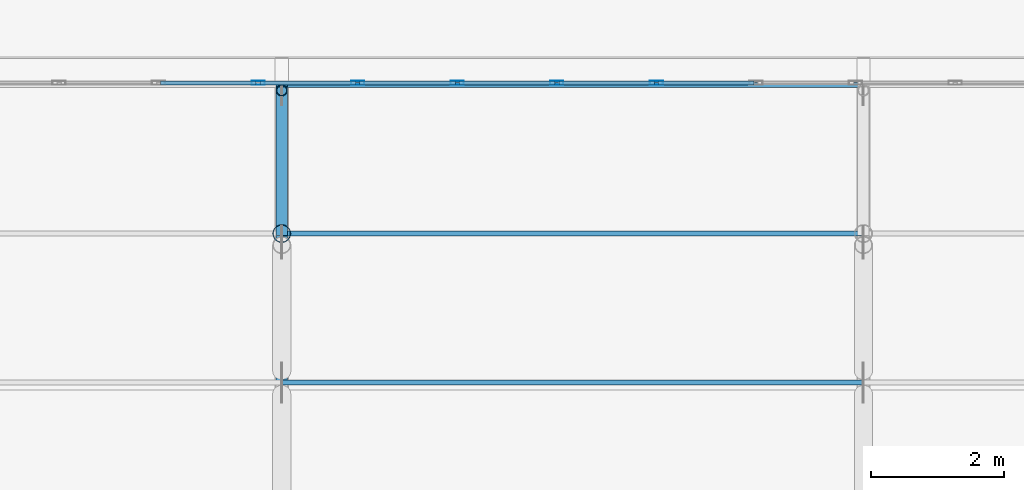
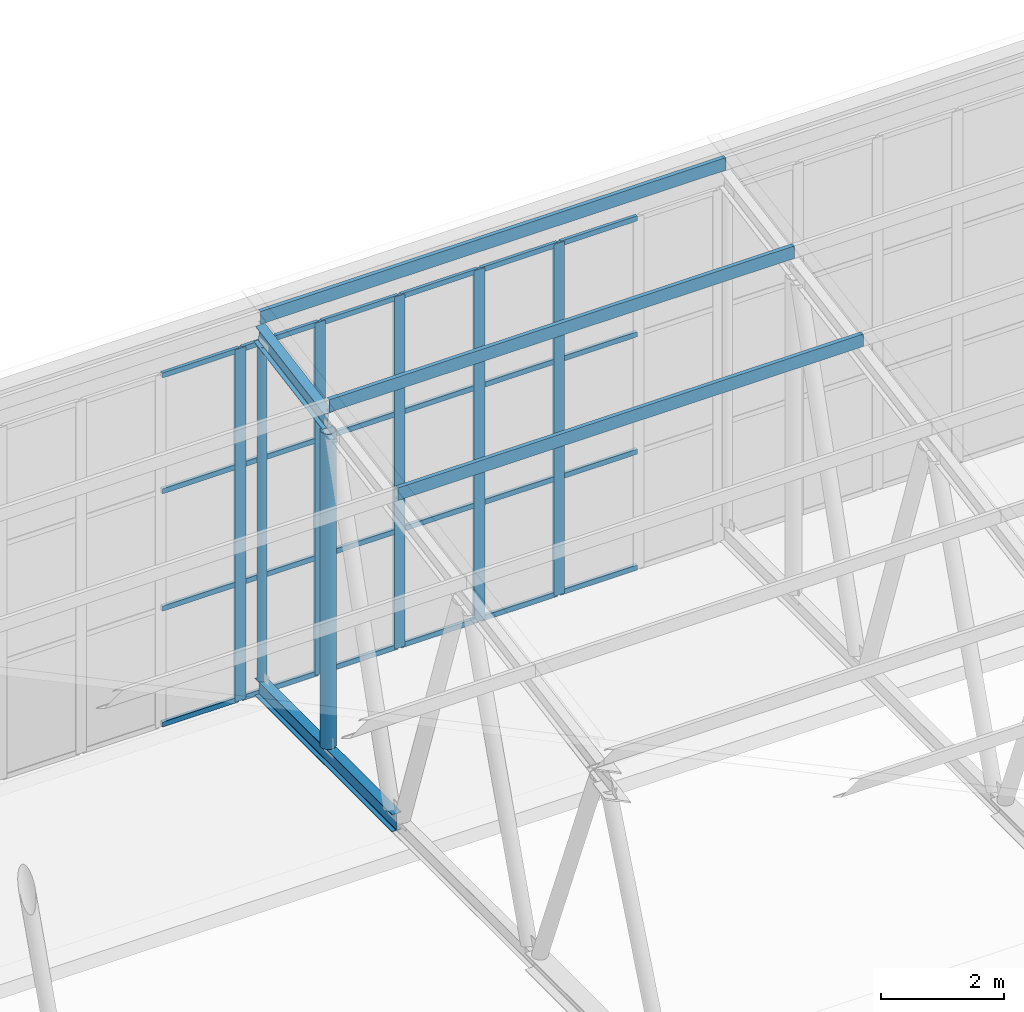
# One storey, part 55 of 185: 36 members, 1 element without a shape of its own.
"""IFC4 building model written with IfcOpenShell, lengths in metres."""

import ifcopenshell
import ifcopenshell.guid

model = None  # the IFC model being written
_history = None  # IfcOwnerHistory: only IFC2X3 demands one
_inside = {}  # id of a spatial element -> (the spatial element, [elements in it])
_under = {}  # id of a project, library or spatial element -> (it, [spatial elements below it])
_declared = {}  # id of a project -> (the project, [libraries it declares])
_typed = {}  # id of a type object -> (the type object, [elements of that type])
_made_of = {}  # id of a material, layer set ... -> (it, [elements and type objects made of it])


def new_model(schema):
    """Start an empty IFC model of exactly this schema.

    Asked for "IFC4X3", IfcOpenShell would pick the latest addendum, in which some entities
    have other attributes; the version numbers below select the first issue.
    IFC2X3 requires an IfcOwnerHistory on every rooted entity: one is made here for all.
    """
    global model, _history
    if schema == "IFC4X3":
        model = ifcopenshell.file(schema_version=(4, 3, 0, 0))
    else:
        model = ifcopenshell.file(schema=schema)
    _inside.clear()
    _under.clear()
    _declared.clear()
    _typed.clear()
    _made_of.clear()
    _history = None
    if model.schema == "IFC2X3":
        org = make("IfcOrganization", Name="unknown")
        user = make(
            "IfcPersonAndOrganization",
            ThePerson=make("IfcPerson", FamilyName="unknown"),
            TheOrganization=org,
        )
        app = make(
            "IfcApplication",
            ApplicationDeveloper=org,
            Version="unknown",
            ApplicationFullName="unknown",
            ApplicationIdentifier="unknown",
        )
        _history = make(
            "IfcOwnerHistory",
            OwningUser=user,
            OwningApplication=app,
            ChangeAction="ADDED",
            CreationDate=0,
        )
    return model


def make(cls, **values):
    """One entity of the class cls with the attributes given. An attribute that is None is left unset."""
    return model.create_entity(
        cls, **{name: value for name, value in values.items() if value is not None}
    )


def rooted(cls, **values):
    """An entity with a GlobalId (a new one), such as an element, a storey or a relation."""
    return make(cls, GlobalId=ifcopenshell.guid.new(), OwnerHistory=_history, **values)


def si_unit(unit_type, name, prefix=None):
    """IfcSIUnit, for example si_unit("LENGTHUNIT", "METRE", prefix="MILLI")."""
    return make("IfcSIUnit", UnitType=unit_type, Prefix=prefix, Name=name)


def assignment(units):
    """IfcUnitAssignment: the units of a project."""
    return None if units is None else make("IfcUnitAssignment", Units=units)


def point(xyz):
    """IfcCartesianPoint."""
    return None if xyz is None else make("IfcCartesianPoint", Coordinates=xyz)


def direction(xyz):
    """IfcDirection."""
    return None if xyz is None else make("IfcDirection", DirectionRatios=xyz)


def frame(location, z_axis=None, x_axis=None):
    """IfcAxis2Placement3D, a coordinate frame: its origin and axes. An axis left out is left unset."""
    return make(
        "IfcAxis2Placement3D",
        Location=point(location),
        Axis=direction(z_axis),
        RefDirection=direction(x_axis),
    )


def frame_2d(location, x_axis=None):
    """IfcAxis2Placement2D, a coordinate frame in the plane: its origin and x axis."""
    return make(
        "IfcAxis2Placement2D", Location=point(location), RefDirection=direction(x_axis)
    )


def origin():
    """The frame at (0, 0, 0) with its axes left unset."""
    return frame((0.0, 0.0, 0.0))


def origin_2d():
    """The frame at (0, 0) in the plane with its x axis left unset."""
    return frame_2d((0.0, 0.0))


def place(relative_to, where):
    """IfcLocalPlacement: puts the frame where relative to a parent placement (None: the world)."""
    return make(
        "IfcLocalPlacement", PlacementRelTo=relative_to, RelativePlacement=where
    )


def context(
    kind, dimensions, precision=None, world=None, true_north=None, identifier=None
):
    """IfcGeometricRepresentationContext, for example the 3D "Model" context."""
    return make(
        "IfcGeometricRepresentationContext",
        ContextIdentifier=identifier,
        ContextType=kind,
        CoordinateSpaceDimension=dimensions,
        Precision=precision,
        WorldCoordinateSystem=world,
        TrueNorth=true_north,
    )


def subcontext(parent, identifier, kind, view, scale=None):
    """IfcGeometricRepresentationSubContext, for example "Body" below "Model"."""
    return make(
        "IfcGeometricRepresentationSubContext",
        ContextIdentifier=identifier,
        ContextType=kind,
        ParentContext=parent,
        TargetScale=scale,
        TargetView=view,
    )


def project(units=None, contexts=None):
    """IfcProject with its units and contexts."""
    return rooted(
        "IfcProject",
        Name="project",
        RepresentationContexts=contexts,
        UnitsInContext=assignment(units),
    )


def spatial(cls, under=None, at=None, **own):
    """A site, building, storey or space (cls), placed at a placement, below another one or the project."""
    s = rooted(cls, ObjectPlacement=at, **own)
    if under is not None:
        _under.setdefault(under.id(), (under, []))[1].append(s)
    return s


def polyline(points):
    """IfcPolyline through the points."""
    return make("IfcPolyline", Points=[point(p) for p in points])


def profile(cls, at=None, kind="AREA", **sizes):
    """A parametric profile (cls). Its sizes go by their IFC names, for example OverallWidth=200.0."""
    return make(cls, ProfileType=kind, Position=at, **sizes)


def hollow_rectangle(**sizes):
    """IfcRectangleHollowProfileDef."""
    return profile("IfcRectangleHollowProfileDef", **sizes)


def hollow_circle(**sizes):
    """IfcCircleHollowProfileDef."""
    return profile("IfcCircleHollowProfileDef", **sizes)


def i_section(**sizes):
    """IfcIShapeProfileDef."""
    return profile("IfcIShapeProfileDef", **sizes)


def outline(outer, holes=None, kind="AREA"):
    """IfcArbitraryClosedProfileDef: a profile drawn as a closed curve; with holes, ...WithVoids."""
    if holes is None:
        return make("IfcArbitraryClosedProfileDef", ProfileType=kind, OuterCurve=outer)
    return make(
        "IfcArbitraryProfileDefWithVoids",
        ProfileType=kind,
        OuterCurve=outer,
        InnerCurves=holes,
    )


def extrude(swept, where, along, depth):
    """IfcExtrudedAreaSolid: the profile swept, set in the frame where, extruded along a direction by depth."""
    return make(
        "IfcExtrudedAreaSolid",
        SweptArea=swept,
        Position=where,
        ExtrudedDirection=direction(along),
        Depth=depth,
    )


def shape(context_of_items, identifier, shape_type, items):
    """IfcShapeRepresentation: the items that make up one representation, for example the "Body"."""
    return make(
        "IfcShapeRepresentation",
        ContextOfItems=context_of_items,
        RepresentationIdentifier=identifier,
        RepresentationType=shape_type,
        Items=items,
    )


def material(Name=None, Category=None):
    """IfcMaterial."""
    return make("IfcMaterial", Name=Name, Category=Category)


def layer(
    of_material, thickness, ventilated=None, Name=None, Category=None, Priority=None
):
    """IfcMaterialLayer: one layer of a wall or slab, of a material (None: an air gap)."""
    return make(
        "IfcMaterialLayer",
        Material=of_material,
        LayerThickness=thickness,
        IsVentilated=ventilated,
        Name=Name,
        Category=Category,
        Priority=Priority,
    )


def layer_set(layers, Name=None):
    """IfcMaterialLayerSet."""
    return make("IfcMaterialLayerSet", MaterialLayers=layers, LayerSetName=Name)


def material_profile(
    of_material, cross_section, Name=None, Category=None, Priority=None
):
    """IfcMaterialProfile: a cross section and its material."""
    return make(
        "IfcMaterialProfile",
        Name=Name,
        Material=of_material,
        Profile=cross_section,
        Priority=Priority,
        Category=Category,
    )


def profile_set(profiles, Name=None, composite=None):
    """IfcMaterialProfileSet."""
    return make(
        "IfcMaterialProfileSet",
        Name=Name,
        MaterialProfiles=profiles,
        CompositeProfile=composite,
    )


def made_of(thing, what):
    """Note that an element or type object is made of a material, layer set ...; save() writes the relation."""
    if what is not None:
        _made_of.setdefault(what.id(), (what, []))[1].append(thing)
    return thing


def type_object(cls, material=None, **own):
    """A type object (cls), such as IfcWallType, which elements share."""
    return made_of(rooted(cls, **own), material)


def element(
    cls,
    number,
    at=None,
    inside=None,
    cuts=None,
    type_object=None,
    material=None,
    context=None,
    identifier="Body",
    shape_type=None,
    held_by="IfcProductDefinitionShape",
    body=None,
    shapes=None,
    **own,
):
    """One element of the class cls, such as IfcWall. Its Tag is "e" and its number.

    at: its placement. inside: the storey or other place that contains it. cuts: it is an
    opening in that element (IfcRelVoidsElement). A single representation is given by context,
    identifier, shape_type and body (its items); several are given by shapes. held_by: the class
    of the entity that holds the representations. save() writes the other relations.
    """
    e = rooted(cls, Tag="e%d" % number, ObjectPlacement=at, **own)
    if body is not None:
        shapes = [shape(context, identifier, shape_type, body)]
    if shapes is not None:
        e.Representation = make(held_by, Representations=shapes)
    if inside is not None:
        _inside.setdefault(inside.id(), (inside, []))[1].append(e)
    if cuts is not None:
        rooted(
            "IfcRelVoidsElement", RelatingBuildingElement=cuts, RelatedOpeningElement=e
        )
    if type_object is not None:
        _typed.setdefault(type_object.id(), (type_object, []))[1].append(e)
    return made_of(e, material)


def aggregate(whole, parts):
    """IfcRelAggregates: a whole, such as a stair, and the parts it consists of."""
    return rooted("IfcRelAggregates", RelatingObject=whole, RelatedObjects=parts)


def save(model, path):
    """Write the relations noted so far, then the file.

    IfcRelAggregates (storeys below a building ...), IfcRelContainedInSpatialStructure (elements
    in a storey), IfcRelDefinesByType, IfcRelAssociatesMaterial and IfcRelDeclares: one each for
    every whole, place, type object, material and project.
    """
    for whole, parts in _under.values():
        aggregate(whole, parts)
    for where, things in _inside.values():
        rooted(
            "IfcRelContainedInSpatialStructure",
            RelatedElements=things,
            RelatingStructure=where,
        )
    for kind, things in _typed.values():
        rooted("IfcRelDefinesByType", RelatedObjects=things, RelatingType=kind)
    for what, things in _made_of.values():
        rooted("IfcRelAssociatesMaterial", RelatedObjects=things, RelatingMaterial=what)
    for by, libraries in _declared.values():
        rooted("IfcRelDeclares", RelatingContext=by, RelatedDefinitions=libraries)
    model.write(path)


model = new_model("IFC4")

# Units and contexts
model_context = context("Model", 3, precision=1e-05, world=origin(), true_north=direction((0.0, 1.0)))
body_context = subcontext(model_context, "Body", "Model", "MODEL_VIEW")
ifc_project = project(units=[si_unit("LENGTHUNIT", "METRE"), si_unit("AREAUNIT", "SQUARE_METRE"), si_unit("VOLUMEUNIT", "CUBIC_METRE"), si_unit("PLANEANGLEUNIT", "RADIAN"), si_unit("MASSUNIT", "GRAM", prefix="KILO")], contexts=[model_context])

# Site, building, storey
site_placement = place(None, origin())
site = spatial("IfcSite", under=ifc_project, at=site_placement, CompositionType="ELEMENT")
building_placement = place(site_placement, origin())
building = spatial("IfcBuilding", under=site, at=building_placement, Name="Opaline Strait Convention Centre", CompositionType="ELEMENT")
storey_placement = place(building_placement, frame((0.0, 0.0, 6.0)))
storey = spatial("IfcBuildingStorey", under=building, at=storey_placement, Name="L01", CompositionType="ELEMENT", Elevation=6.0)

# Curtain wall, members
ifc_material_1 = material(Name="Aluminium 6063-T5", Category="aluminium")
ifc_layer = layer(ifc_material_1, 0.199951171875)
ifc_layer_set = layer_set([ifc_layer], Name="Aluminium 6063-T5")
curtain_wall_type = type_object("IfcCurtainWallType", Name="Unitised curtain wall 1640 module", PredefinedType="NOTDEFINED", material=ifc_layer_set)
curtain_wall_placement = place(storey_placement, origin())
curtain_wall = element("IfcCurtainWall", 1, at=curtain_wall_placement, inside=storey, type_object=curtain_wall_type, Name="Ballroom north clerestory curtain wall", PredefinedType="NOTDEFINED")
ifc_material_2 = material(Name="Aluminium alloy 6063", Category="aluminium")
ifc_material_profile_1 = material_profile(ifc_material_2, hollow_rectangle(XDim=0.06005859375, YDim=0.199951171875, WallThickness=0.00390625, at=origin_2d()), Name="MULLION 60x200x4")
ifc_profile_set_1 = profile_set([ifc_material_profile_1], Name="Aluminium alloy 6063")
member_type_1 = type_object("IfcMemberType", Name="Curtain wall mullion 60 x 200", PredefinedType="MULLION", material=ifc_profile_set_1)
member_1_placement = place(storey_placement, frame((305.987060546875, 62.929931640625, 4.324951171875), z_axis=(0.0, 0.0, 1.0), x_axis=(0.0, 1.0, 0.0)))
member_1 = element("IfcMember", 2, at=member_1_placement, type_object=member_type_1, Name="BG2 mullion 13", PredefinedType="MULLION", context=body_context, shape_type="SweptSolid", body=[
    extrude(hollow_rectangle(XDim=0.06005859375, YDim=0.199951171875, WallThickness=0.00390625, at=origin_2d()), origin(), (0.0, 0.0, 1.0), 7.01513671875),
])
member_2_placement = place(storey_placement, frame((307.488525390625, 62.929931640625, 4.324951171875), z_axis=(0.0, 0.0, 1.0), x_axis=(0.0, 1.0, 0.0)))
member_2 = element("IfcMember", 3, at=member_2_placement, type_object=member_type_1, Name="BG2 mullion 14", PredefinedType="MULLION", context=body_context, shape_type="SweptSolid", body=[
    extrude(hollow_rectangle(XDim=0.06005859375, YDim=0.199951171875, WallThickness=0.00390625, at=origin_2d()), origin(), (0.0, 0.0, 1.0), 7.01513671875),
])
member_3_placement = place(storey_placement, frame((308.989990234375, 62.929931640625, 4.324951171875), z_axis=(0.0, 0.0, 1.0), x_axis=(0.0, 1.0, 0.0)))
member_3 = element("IfcMember", 4, at=member_3_placement, type_object=member_type_1, Name="BG2 mullion 15", PredefinedType="MULLION", context=body_context, shape_type="SweptSolid", body=[
    extrude(hollow_rectangle(XDim=0.06005859375, YDim=0.199951171875, WallThickness=0.00390625, at=origin_2d()), origin(), (0.0, 0.0, 1.0), 7.01513671875),
])
member_4_placement = place(storey_placement, frame((310.491455078125, 62.929931640625, 4.324951171875), z_axis=(0.0, 0.0, 1.0), x_axis=(0.0, 1.0, 0.0)))
member_4 = element("IfcMember", 5, at=member_4_placement, type_object=member_type_1, Name="BG2 mullion 16", PredefinedType="MULLION", context=body_context, shape_type="SweptSolid", body=[
    extrude(hollow_rectangle(XDim=0.06005859375, YDim=0.199951171875, WallThickness=0.00390625, at=origin_2d()), origin(), (0.0, 0.0, 1.0), 7.01513671875),
])
member_5_placement = place(storey_placement, frame((311.992919921875, 62.929931640625, 4.324951171875), z_axis=(0.0, 0.0, 1.0), x_axis=(0.0, 1.0, 0.0)))
member_5 = element("IfcMember", 6, at=member_5_placement, type_object=member_type_1, Name="BG2 mullion 17", PredefinedType="MULLION", context=body_context, shape_type="SweptSolid", body=[
    extrude(hollow_rectangle(XDim=0.06005859375, YDim=0.199951171875, WallThickness=0.00390625, at=origin_2d()), origin(), (0.0, 0.0, 1.0), 7.01513671875),
])
ifc_material_profile_2 = material_profile(ifc_material_2, hollow_rectangle(XDim=0.06005859375, YDim=0.10009765625, WallThickness=0.0029296875, at=origin_2d()), Name="TRANSOM 60x100x3")
ifc_profile_set_2 = profile_set([ifc_material_profile_2], Name="Aluminium alloy 6063")
member_type_2 = type_object("IfcMemberType", Name="Curtain wall transom 60 x 100", PredefinedType="USERDEFINED", material=ifc_profile_set_2)
member_6_placement = place(storey_placement, frame((304.515625, 62.929931640625, 4.35498046875), z_axis=(1.0, 0.0, 0.0), x_axis=(0.0, 1.0, 0.0)))
member_6 = element("IfcMember", 7, at=member_6_placement, type_object=member_type_2, Name="BG2 transom 12.1", ObjectType="TRANSOM", PredefinedType="USERDEFINED", context=body_context, shape_type="SweptSolid", body=[
    extrude(hollow_rectangle(XDim=0.06005859375, YDim=0.10009765625, WallThickness=0.0029296875, at=origin_2d()), origin(), (0.0, 0.0, 1.0), 1.44140625),
])
member_7_placement = place(storey_placement, frame((304.515625, 62.929931640625, 6.663330078125), z_axis=(1.0, 0.0, 0.0), x_axis=(0.0, 1.0, 0.0)))
member_7 = element("IfcMember", 8, at=member_7_placement, type_object=member_type_2, Name="BG2 transom 12.2", ObjectType="TRANSOM", PredefinedType="USERDEFINED", context=body_context, shape_type="SweptSolid", body=[
    extrude(hollow_rectangle(XDim=0.06005859375, YDim=0.10009765625, WallThickness=0.0029296875, at=origin_2d()), origin(), (0.0, 0.0, 1.0), 1.44140625),
])
member_8_placement = place(storey_placement, frame((304.515625, 62.929931640625, 9.001708984375), z_axis=(1.0, 0.0, 0.0), x_axis=(0.0, 1.0, 0.0)))
member_8 = element("IfcMember", 9, at=member_8_placement, type_object=member_type_2, Name="BG2 transom 12.3", ObjectType="TRANSOM", PredefinedType="USERDEFINED", context=body_context, shape_type="SweptSolid", body=[
    extrude(hollow_rectangle(XDim=0.06005859375, YDim=0.10009765625, WallThickness=0.0029296875, at=origin_2d()), origin(), (0.0, 0.0, 1.0), 1.44140625),
])
member_9_placement = place(storey_placement, frame((304.515625, 62.929931640625, 11.31005859375), z_axis=(1.0, 0.0, 0.0), x_axis=(0.0, 1.0, 0.0)))
member_9 = element("IfcMember", 10, at=member_9_placement, type_object=member_type_2, Name="BG2 transom 12.4", ObjectType="TRANSOM", PredefinedType="USERDEFINED", context=body_context, shape_type="SweptSolid", body=[
    extrude(hollow_rectangle(XDim=0.06005859375, YDim=0.10009765625, WallThickness=0.0029296875, at=origin_2d()), origin(), (0.0, 0.0, 1.0), 1.44140625),
])
member_10_placement = place(storey_placement, frame((306.01708984375, 62.929931640625, 4.35498046875), z_axis=(1.0, 0.0, 0.0), x_axis=(0.0, 1.0, 0.0)))
member_10 = element("IfcMember", 11, at=member_10_placement, type_object=member_type_2, Name="BG2 transom 13.1", ObjectType="TRANSOM", PredefinedType="USERDEFINED", context=body_context, shape_type="SweptSolid", body=[
    extrude(hollow_rectangle(XDim=0.06005859375, YDim=0.10009765625, WallThickness=0.0029296875, at=origin_2d()), origin(), (0.0, 0.0, 1.0), 1.44140625),
])
member_11_placement = place(storey_placement, frame((306.01708984375, 62.929931640625, 6.663330078125), z_axis=(1.0, 0.0, 0.0), x_axis=(0.0, 1.0, 0.0)))
member_11 = element("IfcMember", 12, at=member_11_placement, type_object=member_type_2, Name="BG2 transom 13.2", ObjectType="TRANSOM", PredefinedType="USERDEFINED", context=body_context, shape_type="SweptSolid", body=[
    extrude(hollow_rectangle(XDim=0.06005859375, YDim=0.10009765625, WallThickness=0.0029296875, at=origin_2d()), origin(), (0.0, 0.0, 1.0), 1.44140625),
])
member_12_placement = place(storey_placement, frame((306.01708984375, 62.929931640625, 9.001708984375), z_axis=(1.0, 0.0, 0.0), x_axis=(0.0, 1.0, 0.0)))
member_12 = element("IfcMember", 13, at=member_12_placement, type_object=member_type_2, Name="BG2 transom 13.3", ObjectType="TRANSOM", PredefinedType="USERDEFINED", context=body_context, shape_type="SweptSolid", body=[
    extrude(hollow_rectangle(XDim=0.06005859375, YDim=0.10009765625, WallThickness=0.0029296875, at=origin_2d()), origin(), (0.0, 0.0, 1.0), 1.44140625),
])
member_13_placement = place(storey_placement, frame((306.01708984375, 62.929931640625, 11.31005859375), z_axis=(1.0, 0.0, 0.0), x_axis=(0.0, 1.0, 0.0)))
member_13 = element("IfcMember", 14, at=member_13_placement, type_object=member_type_2, Name="BG2 transom 13.4", ObjectType="TRANSOM", PredefinedType="USERDEFINED", context=body_context, shape_type="SweptSolid", body=[
    extrude(hollow_rectangle(XDim=0.06005859375, YDim=0.10009765625, WallThickness=0.0029296875, at=origin_2d()), origin(), (0.0, 0.0, 1.0), 1.44140625),
])
member_14_placement = place(storey_placement, frame((307.5185546875, 62.929931640625, 4.35498046875), z_axis=(1.0, 0.0, 0.0), x_axis=(0.0, 1.0, 0.0)))
member_14 = element("IfcMember", 15, at=member_14_placement, type_object=member_type_2, Name="BG2 transom 14.1", ObjectType="TRANSOM", PredefinedType="USERDEFINED", context=body_context, shape_type="SweptSolid", body=[
    extrude(hollow_rectangle(XDim=0.06005859375, YDim=0.10009765625, WallThickness=0.0029296875, at=origin_2d()), origin(), (0.0, 0.0, 1.0), 1.44140625),
])
member_15_placement = place(storey_placement, frame((307.5185546875, 62.929931640625, 6.663330078125), z_axis=(1.0, 0.0, 0.0), x_axis=(0.0, 1.0, 0.0)))
member_15 = element("IfcMember", 16, at=member_15_placement, type_object=member_type_2, Name="BG2 transom 14.2", ObjectType="TRANSOM", PredefinedType="USERDEFINED", context=body_context, shape_type="SweptSolid", body=[
    extrude(hollow_rectangle(XDim=0.06005859375, YDim=0.10009765625, WallThickness=0.0029296875, at=origin_2d()), origin(), (0.0, 0.0, 1.0), 1.44140625),
])
member_16_placement = place(storey_placement, frame((307.5185546875, 62.929931640625, 9.001708984375), z_axis=(1.0, 0.0, 0.0), x_axis=(0.0, 1.0, 0.0)))
member_16 = element("IfcMember", 17, at=member_16_placement, type_object=member_type_2, Name="BG2 transom 14.3", ObjectType="TRANSOM", PredefinedType="USERDEFINED", context=body_context, shape_type="SweptSolid", body=[
    extrude(hollow_rectangle(XDim=0.06005859375, YDim=0.10009765625, WallThickness=0.0029296875, at=origin_2d()), origin(), (0.0, 0.0, 1.0), 1.44140625),
])
member_17_placement = place(storey_placement, frame((307.5185546875, 62.929931640625, 11.31005859375), z_axis=(1.0, 0.0, 0.0), x_axis=(0.0, 1.0, 0.0)))
member_17 = element("IfcMember", 18, at=member_17_placement, type_object=member_type_2, Name="BG2 transom 14.4", ObjectType="TRANSOM", PredefinedType="USERDEFINED", context=body_context, shape_type="SweptSolid", body=[
    extrude(hollow_rectangle(XDim=0.06005859375, YDim=0.10009765625, WallThickness=0.0029296875, at=origin_2d()), origin(), (0.0, 0.0, 1.0), 1.44140625),
])
member_18_placement = place(storey_placement, frame((309.02001953125, 62.929931640625, 4.35498046875), z_axis=(1.0, 0.0, 0.0), x_axis=(0.0, 1.0, 0.0)))
member_18 = element("IfcMember", 19, at=member_18_placement, type_object=member_type_2, Name="BG2 transom 15.1", ObjectType="TRANSOM", PredefinedType="USERDEFINED", context=body_context, shape_type="SweptSolid", body=[
    extrude(hollow_rectangle(XDim=0.06005859375, YDim=0.10009765625, WallThickness=0.0029296875, at=origin_2d()), origin(), (0.0, 0.0, 1.0), 1.44140625),
])
member_19_placement = place(storey_placement, frame((309.02001953125, 62.929931640625, 6.663330078125), z_axis=(1.0, 0.0, 0.0), x_axis=(0.0, 1.0, 0.0)))
member_19 = element("IfcMember", 20, at=member_19_placement, type_object=member_type_2, Name="BG2 transom 15.2", ObjectType="TRANSOM", PredefinedType="USERDEFINED", context=body_context, shape_type="SweptSolid", body=[
    extrude(hollow_rectangle(XDim=0.06005859375, YDim=0.10009765625, WallThickness=0.0029296875, at=origin_2d()), origin(), (0.0, 0.0, 1.0), 1.44140625),
])
member_20_placement = place(storey_placement, frame((309.02001953125, 62.929931640625, 9.001708984375), z_axis=(1.0, 0.0, 0.0), x_axis=(0.0, 1.0, 0.0)))
member_20 = element("IfcMember", 21, at=member_20_placement, type_object=member_type_2, Name="BG2 transom 15.3", ObjectType="TRANSOM", PredefinedType="USERDEFINED", context=body_context, shape_type="SweptSolid", body=[
    extrude(hollow_rectangle(XDim=0.06005859375, YDim=0.10009765625, WallThickness=0.0029296875, at=origin_2d()), origin(), (0.0, 0.0, 1.0), 1.44140625),
])
member_21_placement = place(storey_placement, frame((309.02001953125, 62.929931640625, 11.31005859375), z_axis=(1.0, 0.0, 0.0), x_axis=(0.0, 1.0, 0.0)))
member_21 = element("IfcMember", 22, at=member_21_placement, type_object=member_type_2, Name="BG2 transom 15.4", ObjectType="TRANSOM", PredefinedType="USERDEFINED", context=body_context, shape_type="SweptSolid", body=[
    extrude(hollow_rectangle(XDim=0.06005859375, YDim=0.10009765625, WallThickness=0.0029296875, at=origin_2d()), origin(), (0.0, 0.0, 1.0), 1.44140625),
])
member_22_placement = place(storey_placement, frame((310.521484375, 62.929931640625, 4.35498046875), z_axis=(1.0, 0.0, 0.0), x_axis=(0.0, 1.0, 0.0)))
member_22 = element("IfcMember", 23, at=member_22_placement, type_object=member_type_2, Name="BG2 transom 16.1", ObjectType="TRANSOM", PredefinedType="USERDEFINED", context=body_context, shape_type="SweptSolid", body=[
    extrude(hollow_rectangle(XDim=0.06005859375, YDim=0.10009765625, WallThickness=0.0029296875, at=origin_2d()), origin(), (0.0, 0.0, 1.0), 1.44140625),
])
member_23_placement = place(storey_placement, frame((310.521484375, 62.929931640625, 6.663330078125), z_axis=(1.0, 0.0, 0.0), x_axis=(0.0, 1.0, 0.0)))
member_23 = element("IfcMember", 24, at=member_23_placement, type_object=member_type_2, Name="BG2 transom 16.2", ObjectType="TRANSOM", PredefinedType="USERDEFINED", context=body_context, shape_type="SweptSolid", body=[
    extrude(hollow_rectangle(XDim=0.06005859375, YDim=0.10009765625, WallThickness=0.0029296875, at=origin_2d()), origin(), (0.0, 0.0, 1.0), 1.44140625),
])
member_24_placement = place(storey_placement, frame((310.521484375, 62.929931640625, 9.001708984375), z_axis=(1.0, 0.0, 0.0), x_axis=(0.0, 1.0, 0.0)))
member_24 = element("IfcMember", 25, at=member_24_placement, type_object=member_type_2, Name="BG2 transom 16.3", ObjectType="TRANSOM", PredefinedType="USERDEFINED", context=body_context, shape_type="SweptSolid", body=[
    extrude(hollow_rectangle(XDim=0.06005859375, YDim=0.10009765625, WallThickness=0.0029296875, at=origin_2d()), origin(), (0.0, 0.0, 1.0), 1.44140625),
])
member_25_placement = place(storey_placement, frame((310.521484375, 62.929931640625, 11.31005859375), z_axis=(1.0, 0.0, 0.0), x_axis=(0.0, 1.0, 0.0)))
member_25 = element("IfcMember", 26, at=member_25_placement, type_object=member_type_2, Name="BG2 transom 16.4", ObjectType="TRANSOM", PredefinedType="USERDEFINED", context=body_context, shape_type="SweptSolid", body=[
    extrude(hollow_rectangle(XDim=0.06005859375, YDim=0.10009765625, WallThickness=0.0029296875, at=origin_2d()), origin(), (0.0, 0.0, 1.0), 1.44140625),
])
member_26_placement = place(storey_placement, frame((312.02294921875, 62.929931640625, 4.35498046875), z_axis=(1.0, 0.0, 0.0), x_axis=(0.0, 1.0, 0.0)))
member_26 = element("IfcMember", 27, at=member_26_placement, type_object=member_type_2, Name="BG2 transom 17.1", ObjectType="TRANSOM", PredefinedType="USERDEFINED", context=body_context, shape_type="SweptSolid", body=[
    extrude(hollow_rectangle(XDim=0.06005859375, YDim=0.10009765625, WallThickness=0.0029296875, at=origin_2d()), origin(), (0.0, 0.0, 1.0), 1.44140625),
])
member_27_placement = place(storey_placement, frame((312.02294921875, 62.929931640625, 6.663330078125), z_axis=(1.0, 0.0, 0.0), x_axis=(0.0, 1.0, 0.0)))
member_27 = element("IfcMember", 28, at=member_27_placement, type_object=member_type_2, Name="BG2 transom 17.2", ObjectType="TRANSOM", PredefinedType="USERDEFINED", context=body_context, shape_type="SweptSolid", body=[
    extrude(hollow_rectangle(XDim=0.06005859375, YDim=0.10009765625, WallThickness=0.0029296875, at=origin_2d()), origin(), (0.0, 0.0, 1.0), 1.44140625),
])
member_28_placement = place(storey_placement, frame((312.02294921875, 62.929931640625, 9.001708984375), z_axis=(1.0, 0.0, 0.0), x_axis=(0.0, 1.0, 0.0)))
member_28 = element("IfcMember", 29, at=member_28_placement, type_object=member_type_2, Name="BG2 transom 17.3", ObjectType="TRANSOM", PredefinedType="USERDEFINED", context=body_context, shape_type="SweptSolid", body=[
    extrude(hollow_rectangle(XDim=0.06005859375, YDim=0.10009765625, WallThickness=0.0029296875, at=origin_2d()), origin(), (0.0, 0.0, 1.0), 1.44140625),
])
member_29_placement = place(storey_placement, frame((312.02294921875, 62.929931640625, 11.31005859375), z_axis=(1.0, 0.0, 0.0), x_axis=(0.0, 1.0, 0.0)))
member_29 = element("IfcMember", 30, at=member_29_placement, type_object=member_type_2, Name="BG2 transom 17.4", ObjectType="TRANSOM", PredefinedType="USERDEFINED", context=body_context, shape_type="SweptSolid", body=[
    extrude(hollow_rectangle(XDim=0.06005859375, YDim=0.10009765625, WallThickness=0.0029296875, at=origin_2d()), origin(), (0.0, 0.0, 1.0), 1.44140625),
])
aggregate(curtain_wall, [member_1, member_2, member_3, member_4, member_5, member_6, member_7, member_8, member_9, member_10, member_11, member_12, member_13, member_14, member_15, member_16, member_17, member_18, member_19, member_20, member_21, member_22, member_23, member_24, member_25, member_26, member_27, member_28, member_29])

# Members
ifc_material_3 = material(Name="Steel Q355B", Category="steel")
ifc_material_profile_3 = material_profile(ifc_material_3, outline(polyline([(-0.03759765625, -0.125), (0.03759765625, -0.125), (0.03759765625, -0.10498046875), (0.034423828125, -0.10498046875), (0.034423828125, -0.1220703125), (-0.034423828125, -0.1220703125), (-0.034423828125, 0.1220703125), (0.034423828125, 0.1220703125), (0.034423828125, 0.10498046875), (0.03759765625, 0.10498046875), (0.03759765625, 0.125), (-0.03759765625, 0.125), (-0.03759765625, -0.125)])), Name="C 250x75x20x3")
ifc_profile_set_3 = profile_set([ifc_material_profile_3], Name="Steel Q355B")
member_type_3 = type_object("IfcMemberType", Name="Roof purlin C 250x75x20x3", PredefinedType="RAFTER", material=ifc_profile_set_3)
for number, where, z_axis, x_axis, name in (
    (31, (306.343017578125, 58.41259765625, 11.049560546875), (1.0, 0.0, 0.0), (0.0, 1.0, 0.0), "BU1 purlin line 16 bay 4"),
    (32, (306.343017578125, 60.65625, 11.445068359375), (1.0, 0.0, 0.0), (0.0, 1.0, 0.0), "BU1 purlin line 17 bay 4"),
    (33, (306.343017578125, 62.89990234375, 11.8408203125), (1.0, 0.0, 0.0), (0.0, 1.0, 0.0), "BU1 purlin line 18 bay 4"),
):
    element("IfcMember", number, at=place(storey_placement, frame(where, z_axis=z_axis, x_axis=x_axis)), inside=storey, type_object=member_type_3, Name=name, PredefinedType="RAFTER", context=body_context, shape_type="SweptSolid", body=[
        extrude(outline(polyline([(-0.03759765625, -0.125), (0.03759765625, -0.125), (0.03759765625, -0.10498046875), (0.034423828125, -0.10498046875), (0.034423828125, -0.1220703125), (-0.034423828125, -0.1220703125), (-0.034423828125, 0.1220703125), (0.034423828125, 0.1220703125), (0.034423828125, 0.10498046875), (0.03759765625, 0.10498046875), (0.03759765625, 0.125), (-0.03759765625, 0.125), (-0.03759765625, -0.125)])), origin(), (0.0, 0.0, 1.0), 8.771240234375),
    ])
ifc_material_profile_4 = material_profile(ifc_material_3, i_section(OverallWidth=0.175048828125, OverallDepth=0.35009765625, WebThickness=0.007080078125, FlangeThickness=0.010986328125, FilletRadius=0.012939453125, at=origin_2d()), Name="HN 350x175x7x11")
ifc_profile_set_4 = profile_set([ifc_material_profile_4], Name="Steel Q355B")
member_type_4 = type_object("IfcMemberType", Name="Truss bottom chord HN 350x175x7x11", PredefinedType="CHORD", material=ifc_profile_set_4)
member_30_placement = place(storey_placement, frame((306.343017578125, 58.41259765625, 4.5), z_axis=(0.0, 1.0, 0.0), x_axis=(-1.0, 0.0, 0.0)))
element("IfcMember", 34, at=member_30_placement, inside=storey, type_object=member_type_4, Name="BT2 bottom chord line 3 panel 8", PredefinedType="CHORD", context=body_context, shape_type="SweptSolid", body=[
    extrude(i_section(OverallWidth=0.175048828125, OverallDepth=0.35009765625, WebThickness=0.007080078125, FlangeThickness=0.010986328125, FilletRadius=0.012939453125, at=origin_2d()), origin(), (0.0, 0.0, 1.0), 4.4873046875),
])
ifc_material_profile_5 = material_profile(ifc_material_3, hollow_circle(Radius=0.083984375, WallThickness=0.008056640625, at=origin_2d()), Name="CHS 168x8")
ifc_profile_set_5 = profile_set([ifc_material_profile_5], Name="Steel Q355B")
member_type_5 = type_object("IfcMemberType", Name="Truss end post CHS 168x8", PredefinedType="STRUT", material=ifc_profile_set_5)
member_31_placement = place(storey_placement, frame((306.343017578125, 62.81591796875, 4.675048828125), z_axis=(0.0, 0.0, 1.0), x_axis=(1.0, 0.0, 0.0)))
element("IfcMember", 35, at=member_31_placement, inside=storey, type_object=member_type_5, Name="BW5 end post line 3", PredefinedType="STRUT", context=body_context, shape_type="SweptSolid", body=[
    extrude(hollow_circle(Radius=0.083984375, WallThickness=0.008056640625, at=origin_2d()), origin(), (0.0, 0.0, 1.0), 6.66259765625),
])
ifc_material_profile_6 = material_profile(ifc_material_3, i_section(OverallWidth=0.175048828125, OverallDepth=0.35009765625, WebThickness=0.007080078125, FlangeThickness=0.010986328125, FilletRadius=0.012939453125, at=origin_2d()), Name="HN 350x175x7x11")
ifc_profile_set_6 = profile_set([ifc_material_profile_6], Name="Steel Q355B")
member_type_6 = type_object("IfcMemberType", Name="Truss top chord HN 350x175x7x11", PredefinedType="CHORD", material=ifc_profile_set_6)
member_32_placement = place(storey_placement, frame((306.343017578125, 60.65625, 11.134521484375), z_axis=(0.0, 0.984815906009, 0.173601933377), x_axis=(-1.0, 0.0, 0.0)))
element("IfcMember", 36, at=member_32_placement, inside=storey, type_object=member_type_6, Name="BT1 top chord line 3 panel 10", PredefinedType="CHORD", context=body_context, shape_type="SweptSolid", body=[
    extrude(i_section(OverallWidth=0.175048828125, OverallDepth=0.35009765625, WebThickness=0.007080078125, FlangeThickness=0.010986328125, FilletRadius=0.012939453125, at=origin_2d()), origin(), (0.0, 0.0, 1.0), 2.2783203125),
])
ifc_material_profile_7 = material_profile(ifc_material_3, hollow_circle(Radius=0.136474609375, WallThickness=0.011962890625, at=origin_2d()), Name="CHS 273x12")
ifc_profile_set_7 = profile_set([ifc_material_profile_7], Name="Steel Q355B")
member_type_7 = type_object("IfcMemberType", Name="Truss web CHS 273x12", PredefinedType="BRACE", material=ifc_profile_set_7)
member_33_placement = place(storey_placement, frame((306.343017578125, 60.65625, 4.675048828125), z_axis=(0.0, 0.0, 1.0), x_axis=(1.0, 0.0, 0.0)))
element("IfcMember", 37, at=member_33_placement, inside=storey, type_object=member_type_7, Name="BW4 frame post line 3", PredefinedType="BRACE", context=body_context, shape_type="SweptSolid", body=[
    extrude(hollow_circle(Radius=0.136474609375, WallThickness=0.011962890625, at=origin_2d()), origin(), (0.0, 0.0, 1.0), 6.28173828125),
])

save(model, "model.ifc")
